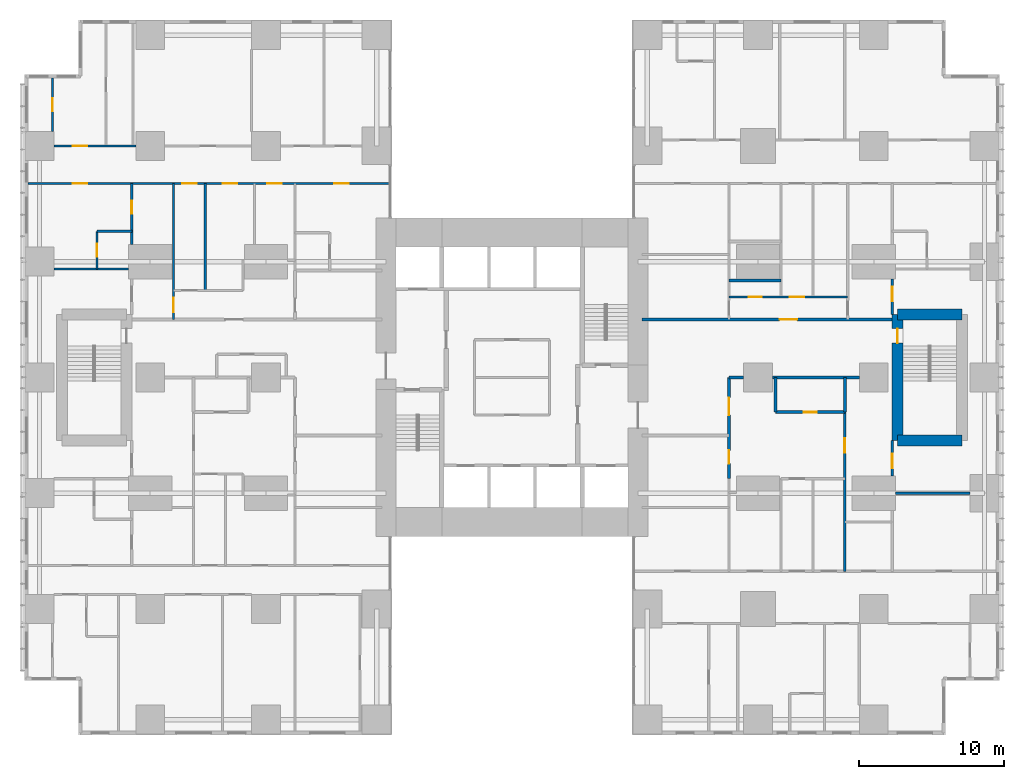
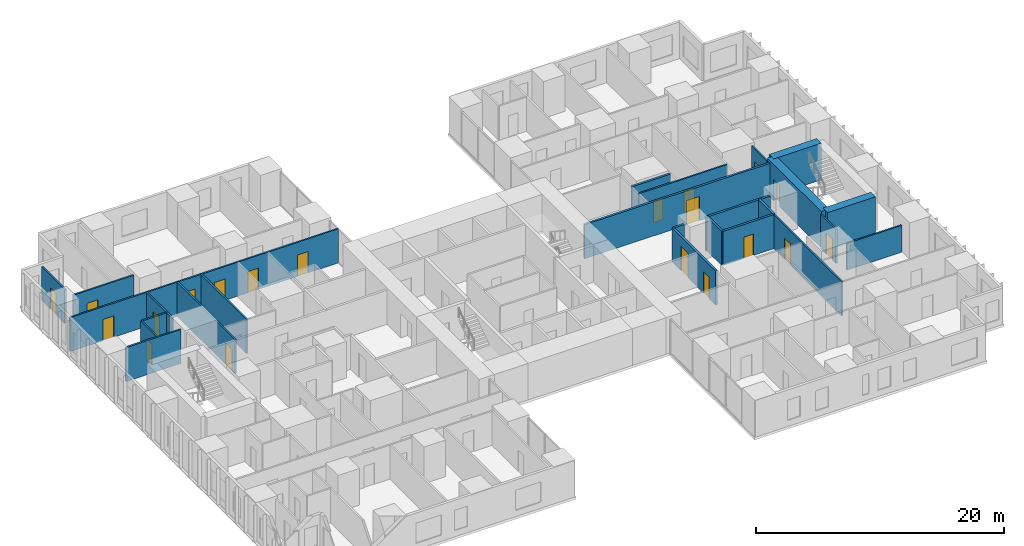
# One storey, part 16 of 20: 25 walls, 20 doors, 20 openings.
"""IFC4 building model written with IfcOpenShell, lengths in metres."""

from ifc_helpers import new_model, si_unit, direction, frame, frame_2d, origin, place, context, subcontext, project, spatial, rectangle, extrude, material, layer, layer_set, type_object, element, fill, save


model = new_model("IFC4")

# Units and contexts
model_context = context("Model", 3, precision=1e-05, world=origin(), true_north=direction((0.0, 1.0)))
body_context = subcontext(model_context, "Body", "Model", "MODEL_VIEW")
ifc_project = project(units=[si_unit("LENGTHUNIT", "METRE"), si_unit("AREAUNIT", "SQUARE_METRE"), si_unit("VOLUMEUNIT", "CUBIC_METRE"), si_unit("PLANEANGLEUNIT", "RADIAN"), si_unit("MASSUNIT", "GRAM", prefix="KILO")], contexts=[model_context])

# Site, building, storey
site_placement = place(None, origin())
site = spatial("IfcSite", under=ifc_project, at=site_placement, CompositionType="ELEMENT")
building_placement = place(site_placement, origin())
building = spatial("IfcBuilding", under=site, at=building_placement, Name="Cleftline Residences", CompositionType="ELEMENT")
storey_placement = place(building_placement, frame((0.0, 0.0, 69.199951171875)))
storey = spatial("IfcBuildingStorey", under=building, at=storey_placement, Name="L17", CompositionType="ELEMENT", Elevation=69.199951171875)

# Wall, opening, door
ifc_material_1 = material(Name="Concrete blockwork, fire rated", Category="masonry")
ifc_layer_1 = layer(ifc_material_1, 0.199951171875)
ifc_layer_set_1 = layer_set([ifc_layer_1], Name="FIRE WALL 200")
wall_type_1 = type_object("IfcWallType", Name="FIRE WALL 200", PredefinedType="PARTITIONING", material=ifc_layer_set_1)
wall_1_placement = place(storey_placement, frame((51.199951171875, 21.60009765625, 0.0), z_axis=(0.0, 0.0, 1.0), x_axis=(1.0, 0.0, 0.0)))
wall_1 = element("IfcWall", 1, at=wall_1_placement, inside=storey, type_object=wall_type_1, Name="Fire separating wall", PredefinedType="PARTITIONING", context=body_context, shape_type="SweptSolid", body=[
    extrude(rectangle(XDim=4.800048828125, YDim=0.199951171875, at=frame_2d((2.39990234375, 0.0))), origin(), (0.0, 0.0, 1.0), 3.35009765625),
])
opening_1_placement = place(wall_1_placement, frame((1.949951171875, 0.0, 0.0)))
opening_1 = element("IfcOpeningElement", 2, at=opening_1_placement, cuts=wall_1, Name="Opening D1F30", PredefinedType="OPENING", context=body_context, shape_type="SweptSolid", body=[
    extrude(rectangle(XDim=0.89990234375, YDim=2.10009765625, at=frame_2d((0.449951171875, 1.050048828125))), frame((0.0, 0.10986328125, 0.0), z_axis=(0.0, -1.0, 0.0), x_axis=(1.0, 0.0, 0.0)), (0.0, 0.0, 1.0), 0.219970703125),
])
ifc_material_2 = material(Name="Timber veneer on solid core", Category="wood")
door_type_1 = type_object("IfcDoorType", Name="DOOR 900X2100 EI 30", OperationType="SINGLE_SWING_LEFT", PredefinedType="DOOR", material=ifc_material_2)
door_1_placement = place(opening_1_placement, origin())
door_1 = element("IfcDoor", 3, at=door_1_placement, inside=storey, type_object=door_type_1, Name="Door to cloakroom wc", OperationType="SINGLE_SWING_LEFT", OverallHeight=2.10009765625, OverallWidth=0.89990234375, PredefinedType="DOOR", context=body_context, shape_type="SweptSolid", body=[
    extrude(rectangle(XDim=0.89990234375, YDim=2.10009765625, at=frame_2d((0.449951171875, 1.050048828125))), frame((0.0, 0.02490234375, 0.0), z_axis=(0.0, -1.0, 0.0), x_axis=(1.0, 0.0, 0.0)), (0.0, 0.0, 1.0), 0.050048828125),
])
fill(opening_1, door_1)

# Walls
wall_2_placement = place(storey_placement, frame((48.0, 24.0, 0.0), z_axis=(0.0, 0.0, 1.0), x_axis=(1.0, 0.0, 0.0)))
element("IfcWall", 4, at=wall_2_placement, inside=storey, type_object=wall_type_1, Name="Fire separating wall", PredefinedType="PARTITIONING", context=body_context, shape_type="SweptSolid", body=[
    extrude(rectangle(XDim=1.0, YDim=0.199951171875, at=frame_2d((0.5, 0.0))), origin(), (0.0, 0.0, 1.0), 3.35009765625),
])
wall_3_placement = place(storey_placement, frame((51.0, 24.0, 0.0), z_axis=(0.0, 0.0, 1.0), x_axis=(1.0, 0.0, 0.0)))
element("IfcWall", 5, at=wall_3_placement, inside=storey, type_object=wall_type_1, Name="Fire separating wall", PredefinedType="PARTITIONING", context=body_context, shape_type="SweptSolid", body=[
    extrude(rectangle(XDim=6.0, YDim=0.199951171875, at=frame_2d((3.0, 0.0))), origin(), (0.0, 0.0, 1.0), 3.35009765625),
])

# Wall, opening, door
wall_4_placement = place(storey_placement, frame((42.0, 28.0, 0.0), z_axis=(0.0, 0.0, 1.0), x_axis=(1.0, 0.0, 0.0)))
wall_4 = element("IfcWall", 6, at=wall_4_placement, inside=storey, type_object=wall_type_1, Name="Fire separating wall", PredefinedType="PARTITIONING", context=body_context, shape_type="SweptSolid", body=[
    extrude(rectangle(XDim=17.27490234375, YDim=0.199951171875, at=frame_2d((8.637451171875, 0.0))), origin(), (0.0, 0.0, 1.0), 3.35009765625),
])
opening_2_placement = place(wall_4_placement, frame((9.5, 0.0, 0.0)))
opening_2 = element("IfcOpeningElement", 7, at=opening_2_placement, cuts=wall_4, Name="Opening D4", PredefinedType="OPENING", context=body_context, shape_type="SweptSolid", body=[
    extrude(rectangle(XDim=1.199951171875, YDim=2.39990234375, at=frame_2d((0.60009765625, 1.199951171875))), frame((0.0, 0.10986328125, 0.0), z_axis=(0.0, -1.0, 0.0), x_axis=(1.0, 0.0, 0.0)), (0.0, 0.0, 1.0), 0.219970703125),
])
ifc_material_3 = material(Name="Timber veneer on solid core", Category="wood")
door_type_2 = type_object("IfcDoorType", Name="APARTMENT ENTRANCE DOOR 1200X2400", OperationType="SINGLE_SWING_RIGHT", PredefinedType="DOOR", material=ifc_material_3)
door_2_placement = place(opening_2_placement, origin())
door_2 = element("IfcDoor", 8, at=door_2_placement, inside=storey, type_object=door_type_2, Name="Door to residence entrance foyer", OperationType="SINGLE_SWING_LEFT", OverallHeight=2.39990234375, OverallWidth=1.199951171875, PredefinedType="DOOR", context=body_context, shape_type="SweptSolid", body=[
    extrude(rectangle(XDim=1.199951171875, YDim=2.39990234375, at=frame_2d((0.60009765625, 1.199951171875))), frame((0.0, 0.02490234375, 0.0), z_axis=(0.0, -1.0, 0.0), x_axis=(1.0, 0.0, 0.0)), (0.0, 0.0, 1.0), 0.050048828125),
])
fill(opening_2, door_2)

# Wall
wall_5_placement = place(storey_placement, frame((48.0, 30.699951171875, 0.0), z_axis=(0.0, 0.0, 1.0), x_axis=(1.0, 0.0, 0.0)))
element("IfcWall", 9, at=wall_5_placement, inside=storey, type_object=wall_type_1, Name="Fire separating wall", PredefinedType="PARTITIONING", context=body_context, shape_type="SweptSolid", body=[
    extrude(rectangle(XDim=3.60009765625, YDim=0.199951171875, at=frame_2d((1.800048828125, 0.0))), origin(), (0.0, 0.0, 1.0), 3.35009765625),
])

# Wall, openings, doors
wall_6_placement = place(storey_placement, frame((48.0, 17.0, 0.0), z_axis=(0.0, 0.0, 1.0), x_axis=(0.0, 1.0, 0.0)))
wall_6 = element("IfcWall", 10, at=wall_6_placement, inside=storey, type_object=wall_type_1, Name="Fire separating wall", PredefinedType="PARTITIONING", context=body_context, shape_type="SweptSolid", body=[
    extrude(rectangle(XDim=7.0, YDim=0.199951171875, at=frame_2d((3.5, 0.0))), origin(), (0.0, 0.0, 1.0), 3.35009765625),
])
opening_3_placement = place(wall_6_placement, frame((4.39990234375, 0.0, 0.0)))
opening_3 = element("IfcOpeningElement", 11, at=opening_3_placement, cuts=wall_6, Name="Opening D4", PredefinedType="OPENING", context=body_context, shape_type="SweptSolid", body=[
    extrude(rectangle(XDim=1.199951171875, YDim=2.39990234375, at=frame_2d((0.60009765625, 1.199951171875))), frame((0.0, 0.10986328125, 0.0), z_axis=(0.0, -1.0, 0.0), x_axis=(1.0, 0.0, 0.0)), (0.0, 0.0, 1.0), 0.219970703125),
])
opening_4_placement = place(wall_6_placement, frame((1.050048828125, 0.0, 0.0)))
opening_4 = element("IfcOpeningElement", 12, at=opening_4_placement, cuts=wall_6, Name="Opening D1F30", PredefinedType="OPENING", context=body_context, shape_type="SweptSolid", body=[
    extrude(rectangle(XDim=0.89990234375, YDim=2.10009765625, at=frame_2d((0.449951171875, 1.050048828125))), frame((0.0, 0.10986328125, 0.0), z_axis=(0.0, -1.0, 0.0), x_axis=(1.0, 0.0, 0.0)), (0.0, 0.0, 1.0), 0.219970703125),
])
door_3_placement = place(opening_3_placement, origin())
door_3 = element("IfcDoor", 13, at=door_3_placement, inside=storey, type_object=door_type_2, Name="Door to residence entrance foyer", OperationType="SINGLE_SWING_LEFT", OverallHeight=2.39990234375, OverallWidth=1.199951171875, PredefinedType="DOOR", context=body_context, shape_type="SweptSolid", body=[
    extrude(rectangle(XDim=1.199951171875, YDim=2.39990234375, at=frame_2d((0.60009765625, 1.199951171875))), frame((0.0, 0.02490234375, 0.0), z_axis=(0.0, -1.0, 0.0), x_axis=(1.0, 0.0, 0.0)), (0.0, 0.0, 1.0), 0.050048828125),
])
fill(opening_3, door_3)
door_4_placement = place(opening_4_placement, origin())
door_4 = element("IfcDoor", 14, at=door_4_placement, inside=storey, type_object=door_type_1, Name="Door to laundry", OperationType="SINGLE_SWING_RIGHT", OverallHeight=2.10009765625, OverallWidth=0.89990234375, PredefinedType="DOOR", context=body_context, shape_type="SweptSolid", body=[
    extrude(rectangle(XDim=0.89990234375, YDim=2.10009765625, at=frame_2d((0.449951171875, 1.050048828125))), frame((0.0, 0.02490234375, 0.0), z_axis=(0.0, -1.0, 0.0), x_axis=(1.0, 0.0, 0.0)), (0.0, 0.0, 1.0), 0.050048828125),
])
fill(opening_4, door_4)

# Walls
for number, where, z_axis, x_axis, name in (
    (15, (51.199951171875, 21.60009765625, 0.0), (0.0, 0.0, 1.0), (0.0, 1.0, 0.0), "Fire separating wall"),
    (16, (56.0, 21.60009765625, 0.0), (0.0, 0.0, 1.0), (0.0, 1.0, 0.0), "Fire separating wall"),
):
    element("IfcWall", number, at=place(storey_placement, frame(where, z_axis=z_axis, x_axis=x_axis)), inside=storey, type_object=wall_type_1, Name=name, PredefinedType="PARTITIONING", context=body_context, shape_type="SweptSolid", body=[
        extrude(rectangle(XDim=2.39990234375, YDim=0.199951171875, at=frame_2d((1.199951171875, 0.0))), origin(), (0.0, 0.0, 1.0), 3.35009765625),
    ])
ifc_material_4 = material(Name="Gypsum board on steel studs", Category="steel")
ifc_layer_2 = layer(ifc_material_4, 0.14990234375)
ifc_layer_set_2 = layer_set([ifc_layer_2], Name="PARTITION 150")
wall_type_2 = type_object("IfcWallType", Name="PARTITION 150", PredefinedType="PARTITIONING", material=ifc_layer_set_2)
wall_7_placement = place(storey_placement, frame((59.5, 16.0, 0.0), z_axis=(0.0, 0.0, 1.0), x_axis=(1.0, 0.0, 0.0)))
element("IfcWall", 17, at=wall_7_placement, inside=storey, type_object=wall_type_2, Name="Partition", PredefinedType="PARTITIONING", context=body_context, shape_type="SweptSolid", body=[
    extrude(rectangle(XDim=5.14990234375, YDim=0.14990234375, at=frame_2d((2.574951171875, 0.0))), origin(), (0.0, 0.0, 1.0), 2.634033203125),
])

# Wall, openings, doors
wall_8_placement = place(storey_placement, frame((48.0, 29.550048828125, 0.0), z_axis=(0.0, 0.0, 1.0), x_axis=(1.0, 0.0, 0.0)))
wall_8 = element("IfcWall", 18, at=wall_8_placement, inside=storey, type_object=wall_type_2, Name="Partition", PredefinedType="PARTITIONING", context=body_context, shape_type="SweptSolid", body=[
    extrude(rectangle(XDim=8.199951171875, YDim=0.14990234375, at=frame_2d((4.10009765625, 0.0))), origin(), (0.0, 0.0, 1.0), 3.35009765625),
])
opening_5_placement = place(wall_8_placement, frame((4.199951171875, 0.0, 0.0)))
opening_5 = element("IfcOpeningElement", 19, at=opening_5_placement, cuts=wall_8, Name="Opening D2", PredefinedType="OPENING", context=body_context, shape_type="SweptSolid", body=[
    extrude(rectangle(XDim=1.0, YDim=2.10009765625, at=frame_2d((0.5, 1.050048828125))), frame((0.0, 0.0849609375, 0.0), z_axis=(0.0, -1.0, 0.0), x_axis=(1.0, 0.0, 0.0)), (0.0, 0.0, 1.0), 0.169921875),
])
opening_6_placement = place(wall_8_placement, frame((1.35009765625, 0.0, 0.0)))
opening_6 = element("IfcOpeningElement", 20, at=opening_6_placement, cuts=wall_8, Name="Opening D1", PredefinedType="OPENING", context=body_context, shape_type="SweptSolid", body=[
    extrude(rectangle(XDim=0.89990234375, YDim=2.10009765625, at=frame_2d((0.449951171875, 1.050048828125))), frame((0.0, 0.0849609375, 0.0), z_axis=(0.0, -1.0, 0.0), x_axis=(1.0, 0.0, 0.0)), (0.0, 0.0, 1.0), 0.169921875),
])
ifc_material_5 = material(Name="Timber veneer on solid core", Category="wood")
door_type_3 = type_object("IfcDoorType", Name="DOOR 1000X2100", OperationType="SINGLE_SWING_LEFT", PredefinedType="DOOR", material=ifc_material_5)
door_5_placement = place(opening_5_placement, origin())
door_5 = element("IfcDoor", 21, at=door_5_placement, inside=storey, type_object=door_type_3, Name="Door to residence passage", OperationType="SINGLE_SWING_LEFT", OverallHeight=2.10009765625, OverallWidth=1.0, PredefinedType="DOOR", context=body_context, shape_type="SweptSolid", body=[
    extrude(rectangle(XDim=1.0, YDim=2.10009765625, at=frame_2d((0.5, 1.050048828125))), frame((0.0, 0.02490234375, 0.0), z_axis=(0.0, -1.0, 0.0), x_axis=(1.0, 0.0, 0.0)), (0.0, 0.0, 1.0), 0.050048828125),
])
fill(opening_5, door_5)
ifc_material_6 = material(Name="Timber veneer on solid core", Category="wood")
door_type_4 = type_object("IfcDoorType", Name="DOOR 900X2100", OperationType="SINGLE_SWING_LEFT", PredefinedType="DOOR", material=ifc_material_6)
door_6_placement = place(opening_6_placement, origin())
door_6 = element("IfcDoor", 22, at=door_6_placement, inside=storey, type_object=door_type_4, Name="Door to linen store", OperationType="SINGLE_SWING_RIGHT", OverallHeight=2.10009765625, OverallWidth=0.89990234375, PredefinedType="DOOR", context=body_context, shape_type="SweptSolid", body=[
    extrude(rectangle(XDim=0.89990234375, YDim=2.10009765625, at=frame_2d((0.449951171875, 1.050048828125))), frame((0.0, 0.02490234375, 0.0), z_axis=(0.0, -1.0, 0.0), x_axis=(1.0, 0.0, 0.0)), (0.0, 0.0, 1.0), 0.050048828125),
])
fill(opening_6, door_6)

# Walls
wall_9_placement = place(storey_placement, frame((1.35009765625, 31.5, 0.0), z_axis=(0.0, 0.0, 1.0), x_axis=(1.0, 0.0, 0.0)))
element("IfcWall", 23, at=wall_9_placement, inside=storey, type_object=wall_type_2, Name="Partition", PredefinedType="PARTITIONING", context=body_context, shape_type="SweptSolid", body=[
    extrude(rectangle(XDim=5.14990234375, YDim=0.14990234375, at=frame_2d((2.574951171875, 0.0))), origin(), (0.0, 0.0, 1.0), 3.35009765625),
])
wall_10_placement = place(storey_placement, frame((4.324951171875, 34.10009765625, 0.0), z_axis=(0.0, 0.0, 1.0), x_axis=(1.0, 0.0, 0.0)))
element("IfcWall", 24, at=wall_10_placement, inside=storey, type_object=wall_type_2, Name="Partition", PredefinedType="PARTITIONING", context=body_context, shape_type="SweptSolid", body=[
    extrude(rectangle(XDim=2.400146484375, YDim=0.14990234375, at=frame_2d((1.2001953125, 0.0))), origin(), (0.0, 0.0, 1.0), 3.35009765625),
])

# Wall, openings, doors
wall_11_placement = place(storey_placement, frame((-0.449951171875, 37.39990234375, 0.0), z_axis=(0.0, 0.0, 1.0), x_axis=(1.0, 0.0, 0.0)))
wall_11 = element("IfcWall", 25, at=wall_11_placement, inside=storey, type_object=wall_type_2, Name="Partition", PredefinedType="PARTITIONING", context=body_context, shape_type="SweptSolid", body=[
    extrude(rectangle(XDim=25.010986328125, YDim=0.14990234375, at=frame_2d((12.50537109375, 0.0))), origin(), (0.0, 0.0, 1.0), 3.35009765625),
])
opening_7_placement = place(wall_11_placement, frame((10.64990234375, 0.0, 0.0)))
opening_7 = element("IfcOpeningElement", 26, at=opening_7_placement, cuts=wall_11, Name="Opening D2", PredefinedType="OPENING", context=body_context, shape_type="SweptSolid", body=[
    extrude(rectangle(XDim=1.0, YDim=2.10009765625, at=frame_2d((0.5, 1.050048828125))), frame((0.0, 0.0849609375, 0.0), z_axis=(0.0, -1.0, 0.0), x_axis=(1.0, 0.0, 0.0)), (0.0, 0.0, 1.0), 0.169921875),
])
opening_8_placement = place(wall_11_placement, frame((3.08740234375, 0.0, 0.0)))
opening_8 = element("IfcOpeningElement", 27, at=opening_8_placement, cuts=wall_11, Name="Opening D2", PredefinedType="OPENING", context=body_context, shape_type="SweptSolid", body=[
    extrude(rectangle(XDim=1.0, YDim=2.10009765625, at=frame_2d((0.5, 1.050048828125))), frame((0.0, 0.0849609375, 0.0), z_axis=(0.0, -1.0, 0.0), x_axis=(1.0, 0.0, 0.0)), (0.0, 0.0, 1.0), 0.169921875),
])
opening_9_placement = place(wall_11_placement, frame((13.449951171875, 0.0, 0.0)))
opening_9 = element("IfcOpeningElement", 28, at=opening_9_placement, cuts=wall_11, Name="Opening D2", PredefinedType="OPENING", context=body_context, shape_type="SweptSolid", body=[
    extrude(rectangle(XDim=1.0, YDim=2.10009765625, at=frame_2d((0.5, 1.050048828125))), frame((0.0, 0.0849609375, 0.0), z_axis=(0.0, -1.0, 0.0), x_axis=(1.0, 0.0, 0.0)), (0.0, 0.0, 1.0), 0.169921875),
])
opening_10_placement = place(wall_11_placement, frame((16.550048828125, 0.0, 0.0)))
opening_10 = element("IfcOpeningElement", 29, at=opening_10_placement, cuts=wall_11, Name="Opening D2", PredefinedType="OPENING", context=body_context, shape_type="SweptSolid", body=[
    extrude(rectangle(XDim=1.0, YDim=2.10009765625, at=frame_2d((0.5, 1.050048828125))), frame((0.0, 0.0849609375, 0.0), z_axis=(0.0, -1.0, 0.0), x_axis=(1.0, 0.0, 0.0)), (0.0, 0.0, 1.0), 0.169921875),
])
opening_11_placement = place(wall_11_placement, frame((21.175048828125, 0.0, 0.0)))
opening_11 = element("IfcOpeningElement", 30, at=opening_11_placement, cuts=wall_11, Name="Opening D2", PredefinedType="OPENING", context=body_context, shape_type="SweptSolid", body=[
    extrude(rectangle(XDim=1.0, YDim=2.10009765625, at=frame_2d((0.5, 1.050048828125))), frame((0.0, 0.0849609375, 0.0), z_axis=(0.0, -1.0, 0.0), x_axis=(1.0, 0.0, 0.0)), (0.0, 0.0, 1.0), 0.169921875),
])
door_7_placement = place(opening_7_placement, origin())
door_7 = element("IfcDoor", 31, at=door_7_placement, inside=storey, type_object=door_type_3, Name="Door to residence hall", OperationType="SINGLE_SWING_RIGHT", OverallHeight=2.10009765625, OverallWidth=1.0, PredefinedType="DOOR", context=body_context, shape_type="SweptSolid", body=[
    extrude(rectangle(XDim=1.0, YDim=2.10009765625, at=frame_2d((0.5, 1.050048828125))), frame((0.0, 0.02490234375, 0.0), z_axis=(0.0, -1.0, 0.0), x_axis=(1.0, 0.0, 0.0)), (0.0, 0.0, 1.0), 0.050048828125),
])
fill(opening_7, door_7)
door_8_placement = place(opening_8_placement, origin())
door_8 = element("IfcDoor", 32, at=door_8_placement, inside=storey, type_object=door_type_3, Name="Door to master bedroom", OperationType="SINGLE_SWING_RIGHT", OverallHeight=2.10009765625, OverallWidth=1.0, PredefinedType="DOOR", context=body_context, shape_type="SweptSolid", body=[
    extrude(rectangle(XDim=1.0, YDim=2.10009765625, at=frame_2d((0.5, 1.050048828125))), frame((0.0, 0.02490234375, 0.0), z_axis=(0.0, -1.0, 0.0), x_axis=(1.0, 0.0, 0.0)), (0.0, 0.0, 1.0), 0.050048828125),
])
fill(opening_8, door_8)
door_9_placement = place(opening_9_placement, origin())
door_9 = element("IfcDoor", 33, at=door_9_placement, inside=storey, type_object=door_type_3, Name="Door to family room", OperationType="SINGLE_SWING_LEFT", OverallHeight=2.10009765625, OverallWidth=1.0, PredefinedType="DOOR", context=body_context, shape_type="SweptSolid", body=[
    extrude(rectangle(XDim=1.0, YDim=2.10009765625, at=frame_2d((0.5, 1.050048828125))), frame((0.0, 0.02490234375, 0.0), z_axis=(0.0, -1.0, 0.0), x_axis=(1.0, 0.0, 0.0)), (0.0, 0.0, 1.0), 0.050048828125),
])
fill(opening_9, door_9)
door_10_placement = place(opening_10_placement, origin())
door_10 = element("IfcDoor", 34, at=door_10_placement, inside=storey, type_object=door_type_3, Name="Door to wet kitchen", OperationType="SINGLE_SWING_LEFT", OverallHeight=2.10009765625, OverallWidth=1.0, PredefinedType="DOOR", context=body_context, shape_type="SweptSolid", body=[
    extrude(rectangle(XDim=1.0, YDim=2.10009765625, at=frame_2d((0.5, 1.050048828125))), frame((0.0, 0.02490234375, 0.0), z_axis=(0.0, -1.0, 0.0), x_axis=(1.0, 0.0, 0.0)), (0.0, 0.0, 1.0), 0.050048828125),
])
fill(opening_10, door_10)
door_11_placement = place(opening_11_placement, origin())
door_11 = element("IfcDoor", 35, at=door_11_placement, inside=storey, type_object=door_type_3, Name="Door to bedroom 3", OperationType="SINGLE_SWING_LEFT", OverallHeight=2.10009765625, OverallWidth=1.0, PredefinedType="DOOR", context=body_context, shape_type="SweptSolid", body=[
    extrude(rectangle(XDim=1.0, YDim=2.10009765625, at=frame_2d((0.5, 1.050048828125))), frame((0.0, 0.02490234375, 0.0), z_axis=(0.0, -1.0, 0.0), x_axis=(1.0, 0.0, 0.0)), (0.0, 0.0, 1.0), 0.050048828125),
])
fill(opening_11, door_11)

# Wall, opening, door
wall_12_placement = place(storey_placement, frame((1.35009765625, 40.0, 0.0), z_axis=(0.0, 0.0, 1.0), x_axis=(1.0, 0.0, 0.0)))
wall_12 = element("IfcWall", 36, at=wall_12_placement, inside=storey, type_object=wall_type_2, Name="Partition", PredefinedType="PARTITIONING", context=body_context, shape_type="SweptSolid", body=[
    extrude(rectangle(XDim=5.64990234375, YDim=0.14990234375, at=frame_2d((2.824951171875, 0.0))), origin(), (0.0, 0.0, 1.0), 3.35009765625),
])
opening_12_placement = place(wall_12_placement, frame((1.300048828125, 0.0, 0.0)))
opening_12 = element("IfcOpeningElement", 37, at=opening_12_placement, cuts=wall_12, Name="Opening D2", PredefinedType="OPENING", context=body_context, shape_type="SweptSolid", body=[
    extrude(rectangle(XDim=1.0, YDim=2.10009765625, at=frame_2d((0.5, 1.050048828125))), frame((0.0, 0.0849609375, 0.0), z_axis=(0.0, -1.0, 0.0), x_axis=(1.0, 0.0, 0.0)), (0.0, 0.0, 1.0), 0.169921875),
])
door_12_placement = place(opening_12_placement, origin())
door_12 = element("IfcDoor", 38, at=door_12_placement, inside=storey, type_object=door_type_3, Name="Door to bedroom 2", OperationType="SINGLE_SWING_RIGHT", OverallHeight=2.10009765625, OverallWidth=1.0, PredefinedType="DOOR", context=body_context, shape_type="SweptSolid", body=[
    extrude(rectangle(XDim=1.0, YDim=2.10009765625, at=frame_2d((0.5, 1.050048828125))), frame((0.0, 0.02490234375, 0.0), z_axis=(0.0, -1.0, 0.0), x_axis=(1.0, 0.0, 0.0)), (0.0, 0.0, 1.0), 0.050048828125),
])
fill(opening_12, door_12)

wall_13_placement = place(storey_placement, frame((1.25, 41.0, 0.0), z_axis=(0.0, 0.0, 1.0), x_axis=(0.0, 1.0, 0.0)))
wall_13 = element("IfcWall", 39, at=wall_13_placement, inside=storey, type_object=wall_type_2, Name="Partition", PredefinedType="PARTITIONING", context=body_context, shape_type="SweptSolid", body=[
    extrude(rectangle(XDim=3.699951171875, YDim=0.14990234375, at=frame_2d((1.85009765625, 0.0))), origin(), (0.0, 0.0, 1.0), 3.35009765625),
])
opening_13_placement = place(wall_13_placement, frame((1.39990234375, 0.0, 0.0)))
opening_13 = element("IfcOpeningElement", 40, at=opening_13_placement, cuts=wall_13, Name="Opening D1", PredefinedType="OPENING", context=body_context, shape_type="SweptSolid", body=[
    extrude(rectangle(XDim=0.89990234375, YDim=2.10009765625, at=frame_2d((0.449951171875, 1.050048828125))), frame((0.0, 0.0849609375, 0.0), z_axis=(0.0, -1.0, 0.0), x_axis=(1.0, 0.0, 0.0)), (0.0, 0.0, 1.0), 0.169921875),
])
door_13_placement = place(opening_13_placement, origin())
door_13 = element("IfcDoor", 41, at=door_13_placement, inside=storey, type_object=door_type_4, Name="Door to walk-in wardrobe", OperationType="SINGLE_SWING_LEFT", OverallHeight=2.10009765625, OverallWidth=0.89990234375, PredefinedType="DOOR", context=body_context, shape_type="SweptSolid", body=[
    extrude(rectangle(XDim=0.89990234375, YDim=2.10009765625, at=frame_2d((0.449951171875, 1.050048828125))), frame((0.0, 0.02490234375, 0.0), z_axis=(0.0, -1.0, 0.0), x_axis=(1.0, 0.0, 0.0)), (0.0, 0.0, 1.0), 0.050048828125),
])
fill(opening_13, door_13)

wall_14_placement = place(storey_placement, frame((4.324951171875, 31.5, 0.0), z_axis=(0.0, 0.0, 1.0), x_axis=(0.0, 1.0, 0.0)))
wall_14 = element("IfcWall", 42, at=wall_14_placement, inside=storey, type_object=wall_type_2, Name="Partition", PredefinedType="PARTITIONING", context=body_context, shape_type="SweptSolid", body=[
    extrude(rectangle(XDim=2.60009765625, YDim=0.14990234375, at=frame_2d((1.300048828125, 0.0))), origin(), (0.0, 0.0, 1.0), 3.35009765625),
])
opening_14_placement = place(wall_14_placement, frame((0.85009765625, 0.0, 0.0)))
opening_14 = element("IfcOpeningElement", 43, at=opening_14_placement, cuts=wall_14, Name="Opening D1", PredefinedType="OPENING", context=body_context, shape_type="SweptSolid", body=[
    extrude(rectangle(XDim=0.89990234375, YDim=2.10009765625, at=frame_2d((0.449951171875, 1.050048828125))), frame((0.0, 0.0849609375, 0.0), z_axis=(0.0, -1.0, 0.0), x_axis=(1.0, 0.0, 0.0)), (0.0, 0.0, 1.0), 0.169921875),
])
door_14_placement = place(opening_14_placement, origin())
door_14 = element("IfcDoor", 44, at=door_14_placement, inside=storey, type_object=door_type_4, Name="Door to master bathroom", OperationType="SINGLE_SWING_LEFT", OverallHeight=2.10009765625, OverallWidth=0.89990234375, PredefinedType="DOOR", context=body_context, shape_type="SweptSolid", body=[
    extrude(rectangle(XDim=0.89990234375, YDim=2.10009765625, at=frame_2d((0.449951171875, 1.050048828125))), frame((0.0, 0.02490234375, 0.0), z_axis=(0.0, -1.0, 0.0), x_axis=(1.0, 0.0, 0.0)), (0.0, 0.0, 1.0), 0.050048828125),
])
fill(opening_14, door_14)

wall_15_placement = place(storey_placement, frame((6.72509765625, 33.199951171875, 0.0), z_axis=(0.0, 0.0, 1.0), x_axis=(0.0, 1.0, 0.0)))
wall_15 = element("IfcWall", 45, at=wall_15_placement, inside=storey, type_object=wall_type_2, Name="Partition", PredefinedType="PARTITIONING", context=body_context, shape_type="SweptSolid", body=[
    extrude(rectangle(XDim=4.199951171875, YDim=0.14990234375, at=frame_2d((2.10009765625, 0.0))), origin(), (0.0, 0.0, 1.0), 3.35009765625),
])
opening_15_placement = place(wall_15_placement, frame((2.10009765625, 0.0, 0.0)))
opening_15 = element("IfcOpeningElement", 46, at=opening_15_placement, cuts=wall_15, Name="Opening D1", PredefinedType="OPENING", context=body_context, shape_type="SweptSolid", body=[
    extrude(rectangle(XDim=0.89990234375, YDim=2.10009765625, at=frame_2d((0.449951171875, 1.050048828125))), frame((0.0, 0.0849609375, 0.0), z_axis=(0.0, -1.0, 0.0), x_axis=(1.0, 0.0, 0.0)), (0.0, 0.0, 1.0), 0.169921875),
])
door_15_placement = place(opening_15_placement, origin())
door_15 = element("IfcDoor", 47, at=door_15_placement, inside=storey, type_object=door_type_4, Name="Door to master dressing room", OperationType="SINGLE_SWING_LEFT", OverallHeight=2.10009765625, OverallWidth=0.89990234375, PredefinedType="DOOR", context=body_context, shape_type="SweptSolid", body=[
    extrude(rectangle(XDim=0.89990234375, YDim=2.10009765625, at=frame_2d((0.449951171875, 1.050048828125))), frame((0.0, 0.02490234375, 0.0), z_axis=(0.0, -1.0, 0.0), x_axis=(1.0, 0.0, 0.0)), (0.0, 0.0, 1.0), 0.050048828125),
])
fill(opening_15, door_15)

wall_16_placement = place(storey_placement, frame((9.60009765625, 28.0, 0.0), z_axis=(0.0, 0.0, 1.0), x_axis=(0.0, 1.0, 0.0)))
wall_16 = element("IfcWall", 48, at=wall_16_placement, inside=storey, type_object=wall_type_2, Name="Partition", PredefinedType="PARTITIONING", context=body_context, shape_type="SweptSolid", body=[
    extrude(rectangle(XDim=9.39990234375, YDim=0.14990234375, at=frame_2d((4.699951171875, 0.0))), origin(), (0.0, 0.0, 1.0), 3.35009765625),
])
opening_16_placement = place(wall_16_placement, frame((0.5, 0.0, 0.0)))
opening_16 = element("IfcOpeningElement", 49, at=opening_16_placement, cuts=wall_16, Name="Opening D2F30", PredefinedType="OPENING", context=body_context, shape_type="SweptSolid", body=[
    extrude(rectangle(XDim=1.0, YDim=2.10009765625, at=frame_2d((0.5, 1.050048828125))), frame((0.0, 0.0849609375, 0.0), z_axis=(0.0, -1.0, 0.0), x_axis=(1.0, 0.0, 0.0)), (0.0, 0.0, 1.0), 0.169921875),
])
ifc_material_7 = material(Name="Timber veneer on solid core", Category="wood")
door_type_5 = type_object("IfcDoorType", Name="DOOR 1000X2100 EI 30", OperationType="SINGLE_SWING_LEFT", PredefinedType="DOOR", material=ifc_material_7)
door_16_placement = place(opening_16_placement, origin())
door_16 = element("IfcDoor", 50, at=door_16_placement, inside=storey, type_object=door_type_5, Name="Door to residence lobby", OperationType="SINGLE_SWING_RIGHT", OverallHeight=2.10009765625, OverallWidth=1.0, PredefinedType="DOOR", context=body_context, shape_type="SweptSolid", body=[
    extrude(rectangle(XDim=1.0, YDim=2.10009765625, at=frame_2d((0.5, 1.050048828125))), frame((0.0, 0.02490234375, 0.0), z_axis=(0.0, -1.0, 0.0), x_axis=(1.0, 0.0, 0.0)), (0.0, 0.0, 1.0), 0.050048828125),
])
fill(opening_16, door_16)

# Wall
wall_17_placement = place(storey_placement, frame((11.800048828125, 30.0, 0.0), z_axis=(0.0, 0.0, 1.0), x_axis=(0.0, 1.0, 0.0)))
element("IfcWall", 51, at=wall_17_placement, inside=storey, type_object=wall_type_2, Name="Partition", PredefinedType="PARTITIONING", context=body_context, shape_type="SweptSolid", body=[
    extrude(rectangle(XDim=7.39990234375, YDim=0.14990234375, at=frame_2d((3.699951171875, 0.0))), origin(), (0.0, 0.0, 1.0), 3.35009765625),
])

# Wall, opening, door
wall_18_placement = place(storey_placement, frame((56.0, 10.60009765625, 0.0), z_axis=(0.0, 0.0, 1.0), x_axis=(0.0, 1.0, 0.0)))
wall_18 = element("IfcWall", 52, at=wall_18_placement, inside=storey, type_object=wall_type_2, Name="Partition", PredefinedType="PARTITIONING", context=body_context, shape_type="SweptSolid", body=[
    extrude(rectangle(XDim=11.0, YDim=0.14990234375, at=frame_2d((5.5, 0.0))), origin(), (0.0, 0.0, 1.0), 3.35009765625),
])
opening_17_placement = place(wall_18_placement, frame((8.199951171875, 0.0, 0.0)))
opening_17 = element("IfcOpeningElement", 53, at=opening_17_placement, cuts=wall_18, Name="Opening D2F30", PredefinedType="OPENING", context=body_context, shape_type="SweptSolid", body=[
    extrude(rectangle(XDim=1.0, YDim=2.10009765625, at=frame_2d((0.5, 1.050048828125))), frame((0.0, 0.0849609375, 0.0), z_axis=(0.0, -1.0, 0.0), x_axis=(1.0, 0.0, 0.0)), (0.0, 0.0, 1.0), 0.169921875),
])
door_17_placement = place(opening_17_placement, origin())
door_17 = element("IfcDoor", 54, at=door_17_placement, inside=storey, type_object=door_type_5, Name="Door to residence lobby (service)", OperationType="SINGLE_SWING_LEFT", OverallHeight=2.10009765625, OverallWidth=1.0, PredefinedType="DOOR", context=body_context, shape_type="SweptSolid", body=[
    extrude(rectangle(XDim=1.0, YDim=2.10009765625, at=frame_2d((0.5, 1.050048828125))), frame((0.0, 0.02490234375, 0.0), z_axis=(0.0, -1.0, 0.0), x_axis=(1.0, 0.0, 0.0)), (0.0, 0.0, 1.0), 0.050048828125),
])
fill(opening_17, door_17)

wall_19_placement = place(storey_placement, frame((59.27490234375, 17.199951171875, 0.0), z_axis=(0.0, 0.0, 1.0), x_axis=(0.0, 1.0, 0.0)))
wall_19 = element("IfcWall", 55, at=wall_19_placement, inside=storey, type_object=wall_type_2, Name="Partition", PredefinedType="PARTITIONING", context=body_context, shape_type="SweptSolid", body=[
    extrude(rectangle(XDim=2.449951171875, YDim=0.14990234375, at=frame_2d((1.22509765625, 0.0))), origin(), (0.0, 0.0, 1.0), 3.35009765625),
])
opening_18_placement = place(wall_19_placement, frame((0.53759765625, 0.0, 0.0)))
opening_18 = element("IfcOpeningElement", 56, at=opening_18_placement, cuts=wall_19, Name="Opening D2", PredefinedType="OPENING", context=body_context, shape_type="SweptSolid", body=[
    extrude(rectangle(XDim=1.0, YDim=2.10009765625, at=frame_2d((0.5, 1.050048828125))), frame((0.0, 0.0849609375, 0.0), z_axis=(0.0, -1.0, 0.0), x_axis=(1.0, 0.0, 0.0)), (0.0, 0.0, 1.0), 0.169921875),
])
door_18_placement = place(opening_18_placement, origin())
door_18 = element("IfcDoor", 57, at=door_18_placement, inside=storey, type_object=door_type_3, Name="Door to sea-view dining room", OperationType="SINGLE_SWING_RIGHT", OverallHeight=2.10009765625, OverallWidth=1.0, PredefinedType="DOOR", context=body_context, shape_type="SweptSolid", body=[
    extrude(rectangle(XDim=1.0, YDim=2.10009765625, at=frame_2d((0.5, 1.050048828125))), frame((0.0, 0.02490234375, 0.0), z_axis=(0.0, -1.0, 0.0), x_axis=(1.0, 0.0, 0.0)), (0.0, 0.0, 1.0), 0.050048828125),
])
fill(opening_18, door_18)

wall_20_placement = place(storey_placement, frame((59.27490234375, 28.35009765625, 0.0), z_axis=(0.0, 0.0, 1.0), x_axis=(0.0, 1.0, 0.0)))
wall_20 = element("IfcWall", 58, at=wall_20_placement, inside=storey, type_object=wall_type_2, Name="Partition", PredefinedType="PARTITIONING", context=body_context, shape_type="SweptSolid", body=[
    extrude(rectangle(XDim=2.449951171875, YDim=0.14990234375, at=frame_2d((1.22509765625, 0.0))), origin(), (0.0, 0.0, 1.0), 3.35009765625),
])
opening_19_placement = place(wall_20_placement, frame((0.91259765625, 0.0, 0.0)))
opening_19 = element("IfcOpeningElement", 59, at=opening_19_placement, cuts=wall_20, Name="Opening D2", PredefinedType="OPENING", context=body_context, shape_type="SweptSolid", body=[
    extrude(rectangle(XDim=1.0, YDim=2.10009765625, at=frame_2d((0.5, 1.050048828125))), frame((0.0, 0.0849609375, 0.0), z_axis=(0.0, -1.0, 0.0), x_axis=(1.0, 0.0, 0.0)), (0.0, 0.0, 1.0), 0.169921875),
])
door_19_placement = place(opening_19_placement, origin())
door_19 = element("IfcDoor", 60, at=door_19_placement, inside=storey, type_object=door_type_3, Name="Door to bedroom 2", OperationType="SINGLE_SWING_LEFT", OverallHeight=2.10009765625, OverallWidth=1.0, PredefinedType="DOOR", context=body_context, shape_type="SweptSolid", body=[
    extrude(rectangle(XDim=1.0, YDim=2.10009765625, at=frame_2d((0.5, 1.050048828125))), frame((0.0, 0.02490234375, 0.0), z_axis=(0.0, -1.0, 0.0), x_axis=(1.0, 0.0, 0.0)), (0.0, 0.0, 1.0), 0.050048828125),
])
fill(opening_19, door_19)

# Walls
ifc_material_8 = material(Name="Concrete B70", Category="concrete")
ifc_layer_3 = layer(ifc_material_8, 0.75)
ifc_layer_set_3 = layer_set([ifc_layer_3], Name="SHEAR WALL 750")
wall_type_3 = type_object("IfcWallType", Name="SHEAR WALL 750", PredefinedType="SHEAR", material=ifc_layer_set_3)
for number, where, z_axis, x_axis, name in (
    (61, (59.64990234375, 19.64990234375, 0.0), (0.0, 0.0, 1.0), (1.0, 0.0, 0.0), "Wing shear wall"),
    (62, (64.10009765625, 28.35009765625, 0.0), (0.0, 0.0, 1.0), (-1.0, 0.0, 0.0), "Wing shear wall"),
):
    element("IfcWall", number, at=place(storey_placement, frame(where, z_axis=z_axis, x_axis=x_axis)), inside=storey, type_object=wall_type_3, Name=name, PredefinedType="SHEAR", context=body_context, shape_type="SweptSolid", body=[
        extrude(rectangle(XDim=4.4501953125, YDim=0.75, at=frame_2d((2.22509765625, 0.0))), origin(), (0.0, 0.0, 1.0), 3.60009765625),
    ])

# Wall, opening, door
wall_21_placement = place(storey_placement, frame((59.64990234375, 28.35009765625, 0.0), z_axis=(0.0, 0.0, 1.0), x_axis=(0.0, -1.0, 0.0)))
wall_21 = element("IfcWall", 63, at=wall_21_placement, inside=storey, type_object=wall_type_3, Name="Wing shear wall", PredefinedType="SHEAR", context=body_context, shape_type="SweptSolid", body=[
    extrude(rectangle(XDim=8.7001953125, YDim=0.75, at=frame_2d((4.35009765625, 0.0))), origin(), (0.0, 0.0, 1.0), 3.60009765625),
])
opening_20_placement = place(wall_21_placement, frame((0.97509765625, 0.0, 0.0)))
opening_20 = element("IfcOpeningElement", 64, at=opening_20_placement, cuts=wall_21, Name="Opening D5", PredefinedType="OPENING", context=body_context, shape_type="SweptSolid", body=[
    extrude(rectangle(XDim=1.0, YDim=2.10009765625, at=frame_2d((0.5, 1.050048828125))), frame((0.0, 0.385009765625, 0.0), z_axis=(0.0, -1.0, 0.0), x_axis=(1.0, 0.0, 0.0)), (0.0, 0.0, 1.0), 0.77001953125),
])
ifc_material_9 = material(Name="Steel", Category="steel")
door_type_6 = type_object("IfcDoorType", Name="STAIR DOOR 1000X2100", OperationType="SINGLE_SWING_LEFT", PredefinedType="DOOR", material=ifc_material_9)
door_20_placement = place(opening_20_placement, origin())
door_20 = element("IfcDoor", 65, at=door_20_placement, inside=storey, type_object=door_type_6, Name="Stair E door", OperationType="SINGLE_SWING_RIGHT", OverallHeight=2.10009765625, OverallWidth=1.0, PredefinedType="DOOR", context=body_context, shape_type="SweptSolid", body=[
    extrude(rectangle(XDim=1.0, YDim=2.10009765625, at=frame_2d((0.5, 1.050048828125))), frame((0.0, 0.02490234375, 0.0), z_axis=(0.0, -1.0, 0.0), x_axis=(1.0, 0.0, 0.0)), (0.0, 0.0, 1.0), 0.050048828125),
])
fill(opening_20, door_20)

save(model, "model.ifc")
